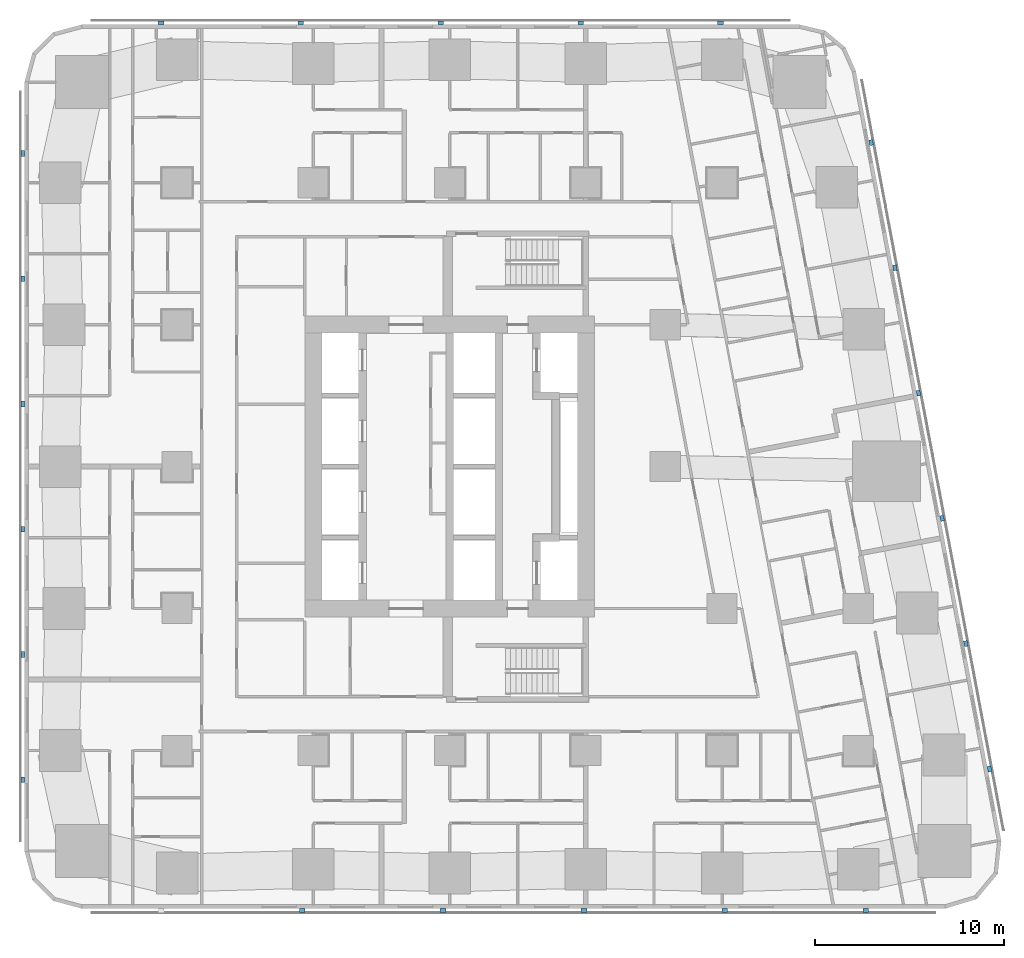
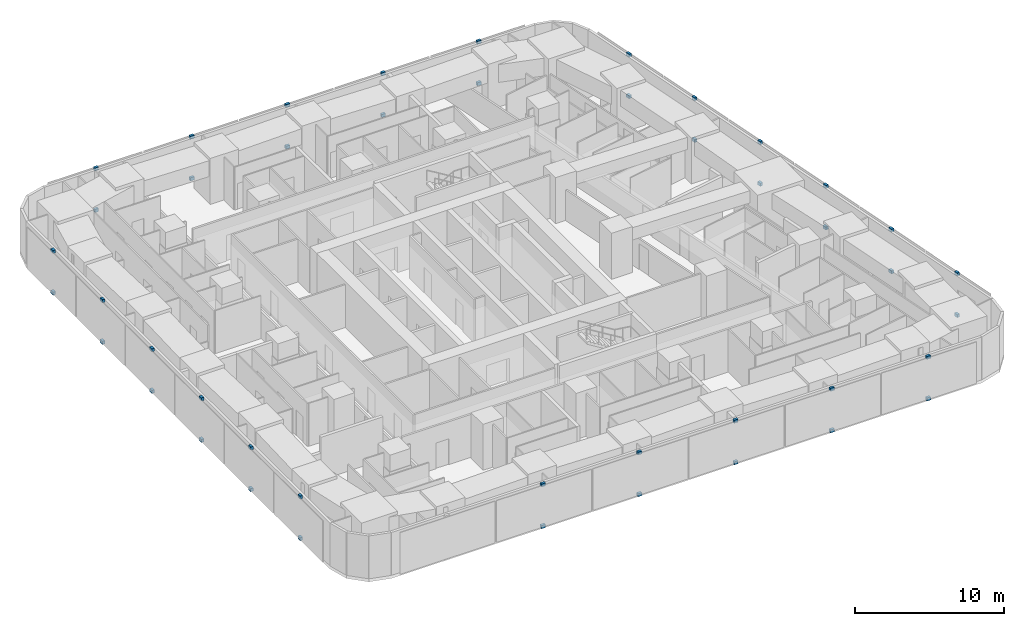
# One storey, part 13 of 17: 44 discrete accessories.
"""IFC4 building model written with IfcOpenShell, lengths in metres."""

import ifcopenshell
import ifcopenshell.guid

model = None  # the IFC model being written
_history = None  # IfcOwnerHistory: only IFC2X3 demands one
_inside = {}  # id of a spatial element -> (the spatial element, [elements in it])
_under = {}  # id of a project, library or spatial element -> (it, [spatial elements below it])
_declared = {}  # id of a project -> (the project, [libraries it declares])
_typed = {}  # id of a type object -> (the type object, [elements of that type])
_made_of = {}  # id of a material, layer set ... -> (it, [elements and type objects made of it])


def new_model(schema):
    """Start an empty IFC model of exactly this schema.

    Asked for "IFC4X3", IfcOpenShell would pick the latest addendum, in which some entities
    have other attributes; the version numbers below select the first issue.
    IFC2X3 requires an IfcOwnerHistory on every rooted entity: one is made here for all.
    """
    global model, _history
    if schema == "IFC4X3":
        model = ifcopenshell.file(schema_version=(4, 3, 0, 0))
    else:
        model = ifcopenshell.file(schema=schema)
    _inside.clear()
    _under.clear()
    _declared.clear()
    _typed.clear()
    _made_of.clear()
    _history = None
    if model.schema == "IFC2X3":
        org = make("IfcOrganization", Name="unknown")
        user = make(
            "IfcPersonAndOrganization",
            ThePerson=make("IfcPerson", FamilyName="unknown"),
            TheOrganization=org,
        )
        app = make(
            "IfcApplication",
            ApplicationDeveloper=org,
            Version="unknown",
            ApplicationFullName="unknown",
            ApplicationIdentifier="unknown",
        )
        _history = make(
            "IfcOwnerHistory",
            OwningUser=user,
            OwningApplication=app,
            ChangeAction="ADDED",
            CreationDate=0,
        )
    return model


def make(cls, **values):
    """One entity of the class cls with the attributes given. An attribute that is None is left unset."""
    return model.create_entity(
        cls, **{name: value for name, value in values.items() if value is not None}
    )


def rooted(cls, **values):
    """An entity with a GlobalId (a new one), such as an element, a storey or a relation."""
    return make(cls, GlobalId=ifcopenshell.guid.new(), OwnerHistory=_history, **values)


def si_unit(unit_type, name, prefix=None):
    """IfcSIUnit, for example si_unit("LENGTHUNIT", "METRE", prefix="MILLI")."""
    return make("IfcSIUnit", UnitType=unit_type, Prefix=prefix, Name=name)


def assignment(units):
    """IfcUnitAssignment: the units of a project."""
    return None if units is None else make("IfcUnitAssignment", Units=units)


def point(xyz):
    """IfcCartesianPoint."""
    return None if xyz is None else make("IfcCartesianPoint", Coordinates=xyz)


def direction(xyz):
    """IfcDirection."""
    return None if xyz is None else make("IfcDirection", DirectionRatios=xyz)


def frame(location, z_axis=None, x_axis=None):
    """IfcAxis2Placement3D, a coordinate frame: its origin and axes. An axis left out is left unset."""
    return make(
        "IfcAxis2Placement3D",
        Location=point(location),
        Axis=direction(z_axis),
        RefDirection=direction(x_axis),
    )


def frame_2d(location, x_axis=None):
    """IfcAxis2Placement2D, a coordinate frame in the plane: its origin and x axis."""
    return make(
        "IfcAxis2Placement2D", Location=point(location), RefDirection=direction(x_axis)
    )


def origin():
    """The frame at (0, 0, 0) with its axes left unset."""
    return frame((0.0, 0.0, 0.0))


def origin_2d():
    """The frame at (0, 0) in the plane with its x axis left unset."""
    return frame_2d((0.0, 0.0))


def place(relative_to, where):
    """IfcLocalPlacement: puts the frame where relative to a parent placement (None: the world)."""
    return make(
        "IfcLocalPlacement", PlacementRelTo=relative_to, RelativePlacement=where
    )


def context(
    kind, dimensions, precision=None, world=None, true_north=None, identifier=None
):
    """IfcGeometricRepresentationContext, for example the 3D "Model" context."""
    return make(
        "IfcGeometricRepresentationContext",
        ContextIdentifier=identifier,
        ContextType=kind,
        CoordinateSpaceDimension=dimensions,
        Precision=precision,
        WorldCoordinateSystem=world,
        TrueNorth=true_north,
    )


def subcontext(parent, identifier, kind, view, scale=None):
    """IfcGeometricRepresentationSubContext, for example "Body" below "Model"."""
    return make(
        "IfcGeometricRepresentationSubContext",
        ContextIdentifier=identifier,
        ContextType=kind,
        ParentContext=parent,
        TargetScale=scale,
        TargetView=view,
    )


def project(units=None, contexts=None):
    """IfcProject with its units and contexts."""
    return rooted(
        "IfcProject",
        Name="project",
        RepresentationContexts=contexts,
        UnitsInContext=assignment(units),
    )


def spatial(cls, under=None, at=None, **own):
    """A site, building, storey or space (cls), placed at a placement, below another one or the project."""
    s = rooted(cls, ObjectPlacement=at, **own)
    if under is not None:
        _under.setdefault(under.id(), (under, []))[1].append(s)
    return s


def profile(cls, at=None, kind="AREA", **sizes):
    """A parametric profile (cls). Its sizes go by their IFC names, for example OverallWidth=200.0."""
    return make(cls, ProfileType=kind, Position=at, **sizes)


def rectangle(**sizes):
    """IfcRectangleProfileDef."""
    return profile("IfcRectangleProfileDef", **sizes)


def extrude(swept, where, along, depth):
    """IfcExtrudedAreaSolid: the profile swept, set in the frame where, extruded along a direction by depth."""
    return make(
        "IfcExtrudedAreaSolid",
        SweptArea=swept,
        Position=where,
        ExtrudedDirection=direction(along),
        Depth=depth,
    )


def shape(context_of_items, identifier, shape_type, items):
    """IfcShapeRepresentation: the items that make up one representation, for example the "Body"."""
    return make(
        "IfcShapeRepresentation",
        ContextOfItems=context_of_items,
        RepresentationIdentifier=identifier,
        RepresentationType=shape_type,
        Items=items,
    )


def material(Name=None, Category=None):
    """IfcMaterial."""
    return make("IfcMaterial", Name=Name, Category=Category)


def made_of(thing, what):
    """Note that an element or type object is made of a material, layer set ...; save() writes the relation."""
    if what is not None:
        _made_of.setdefault(what.id(), (what, []))[1].append(thing)
    return thing


def type_object(cls, material=None, **own):
    """A type object (cls), such as IfcWallType, which elements share."""
    return made_of(rooted(cls, **own), material)


def element(
    cls,
    number,
    at=None,
    inside=None,
    cuts=None,
    type_object=None,
    material=None,
    context=None,
    identifier="Body",
    shape_type=None,
    held_by="IfcProductDefinitionShape",
    body=None,
    shapes=None,
    **own,
):
    """One element of the class cls, such as IfcWall. Its Tag is "e" and its number.

    at: its placement. inside: the storey or other place that contains it. cuts: it is an
    opening in that element (IfcRelVoidsElement). A single representation is given by context,
    identifier, shape_type and body (its items); several are given by shapes. held_by: the class
    of the entity that holds the representations. save() writes the other relations.
    """
    e = rooted(cls, Tag="e%d" % number, ObjectPlacement=at, **own)
    if body is not None:
        shapes = [shape(context, identifier, shape_type, body)]
    if shapes is not None:
        e.Representation = make(held_by, Representations=shapes)
    if inside is not None:
        _inside.setdefault(inside.id(), (inside, []))[1].append(e)
    if cuts is not None:
        rooted(
            "IfcRelVoidsElement", RelatingBuildingElement=cuts, RelatedOpeningElement=e
        )
    if type_object is not None:
        _typed.setdefault(type_object.id(), (type_object, []))[1].append(e)
    return made_of(e, material)


def aggregate(whole, parts):
    """IfcRelAggregates: a whole, such as a stair, and the parts it consists of."""
    return rooted("IfcRelAggregates", RelatingObject=whole, RelatedObjects=parts)


def save(model, path):
    """Write the relations noted so far, then the file.

    IfcRelAggregates (storeys below a building ...), IfcRelContainedInSpatialStructure (elements
    in a storey), IfcRelDefinesByType, IfcRelAssociatesMaterial and IfcRelDeclares: one each for
    every whole, place, type object, material and project.
    """
    for whole, parts in _under.values():
        aggregate(whole, parts)
    for where, things in _inside.values():
        rooted(
            "IfcRelContainedInSpatialStructure",
            RelatedElements=things,
            RelatingStructure=where,
        )
    for kind, things in _typed.values():
        rooted("IfcRelDefinesByType", RelatedObjects=things, RelatingType=kind)
    for what, things in _made_of.values():
        rooted("IfcRelAssociatesMaterial", RelatedObjects=things, RelatingMaterial=what)
    for by, libraries in _declared.values():
        rooted("IfcRelDeclares", RelatingContext=by, RelatedDefinitions=libraries)
    model.write(path)


model = new_model("IFC4")

# Units and contexts
model_context = context("Model", 3, precision=1e-05, world=origin(), true_north=direction((0.0, 1.0)))
body_context = subcontext(model_context, "Body", "Model", "MODEL_VIEW")
ifc_project = project(units=[si_unit("LENGTHUNIT", "METRE"), si_unit("AREAUNIT", "SQUARE_METRE"), si_unit("VOLUMEUNIT", "CUBIC_METRE"), si_unit("PLANEANGLEUNIT", "RADIAN"), si_unit("MASSUNIT", "GRAM", prefix="KILO")], contexts=[model_context])

# Site, building, storey
site_placement = place(None, origin())
site = spatial("IfcSite", under=ifc_project, at=site_placement, CompositionType="ELEMENT")
building_placement = place(site_placement, origin())
building = spatial("IfcBuilding", under=site, at=building_placement, Name="Sheger Commons Tower", CompositionType="ELEMENT")
storey_placement = place(building_placement, frame((0.0, 0.0, 111.64990234375)))
storey = spatial("IfcBuildingStorey", under=building, at=storey_placement, Name="L28", CompositionType="ELEMENT", Elevation=111.64990234375)

# Discrete accessories
ifc_material = material(Name="Black painted steel bracket", Category="steel")
discrete_accessory_type = type_object("IfcDiscreteAccessoryType", Name="SCREEN BRACKET 300x200x250", PredefinedType="BRACKET", material=ifc_material)
for number, where, z_axis, x_axis, name in (
    (1, (13.81396484375, -0.949951171875, -0.099853515625), (0.0, 0.0, 1.0), (1.0, 0.0, 0.0), "Solar screen foot bracket"),
    (2, (13.81396484375, -0.949951171875, 3.300048828125), (0.0, 0.0, 1.0), (1.0, 0.0, 0.0), "Solar screen head bracket"),
    (3, (21.257080078125, -0.949951171875, -0.099853515625), (0.0, 0.0, 1.0), (1.0, 0.0, 0.0), "Solar screen foot bracket"),
    (4, (21.257080078125, -0.949951171875, 3.300048828125), (0.0, 0.0, 1.0), (1.0, 0.0, 0.0), "Solar screen head bracket"),
    (5, (28.698974609375, -0.949951171875, -0.099853515625), (0.0, 0.0, 1.0), (1.0, 0.0, 0.0), "Solar screen foot bracket"),
    (6, (28.698974609375, -0.949951171875, 3.300048828125), (0.0, 0.0, 1.0), (1.0, 0.0, 0.0), "Solar screen head bracket"),
    (7, (36.14208984375, -0.949951171875, -0.099853515625), (0.0, 0.0, 1.0), (1.0, 0.0, 0.0), "Solar screen foot bracket"),
    (8, (36.14208984375, -0.949951171875, 3.300048828125), (0.0, 0.0, 1.0), (1.0, 0.0, 0.0), "Solar screen head bracket"),
    (9, (43.5849609375, -0.949951171875, -0.099853515625), (0.0, 0.0, 1.0), (1.0, 0.0, 0.0), "Solar screen foot bracket"),
    (10, (43.5849609375, -0.949951171875, 3.300048828125), (0.0, 0.0, 1.0), (1.0, 0.0, 0.0), "Solar screen head bracket"),
    (11, (50.134033203125, 6.527099609375, -0.099853515625), (0.0, 0.0, 1.0), (-0.185615165645, 0.982622516678, 0.0), "Solar screen foot bracket"),
    (12, (50.134033203125, 6.527099609375, 3.300048828125), (0.0, 0.0, 1.0), (-0.185615165645, 0.982622516678, 0.0), "Solar screen head bracket"),
    (13, (48.884033203125, 13.14599609375, -0.099853515625), (0.0, 0.0, 1.0), (-0.185615165645, 0.982622516678, 0.0), "Solar screen foot bracket"),
    (14, (48.884033203125, 13.14599609375, 3.300048828125), (0.0, 0.0, 1.0), (-0.185615165645, 0.982622516678, 0.0), "Solar screen head bracket"),
    (15, (47.633056640625, 19.76611328125, -0.099853515625), (0.0, 0.0, 1.0), (-0.185615165645, 0.982622516678, 0.0), "Solar screen foot bracket"),
    (16, (47.633056640625, 19.76611328125, 3.300048828125), (0.0, 0.0, 1.0), (-0.185615165645, 0.982622516678, 0.0), "Solar screen head bracket"),
    (17, (46.383056640625, 26.385009765625, -0.099853515625), (0.0, 0.0, 1.0), (-0.185615165645, 0.982622516678, 0.0), "Solar screen foot bracket"),
    (18, (46.383056640625, 26.385009765625, 3.300048828125), (0.0, 0.0, 1.0), (-0.185615165645, 0.982622516678, 0.0), "Solar screen head bracket"),
    (19, (45.133056640625, 33.0048828125, -0.099853515625), (0.0, 0.0, 1.0), (-0.185615165645, 0.982622516678, 0.0), "Solar screen foot bracket"),
    (20, (45.133056640625, 33.0048828125, 3.300048828125), (0.0, 0.0, 1.0), (-0.185615165645, 0.982622516678, 0.0), "Solar screen head bracket"),
    (21, (43.882080078125, 39.6240234375, -0.099853515625), (0.0, 0.0, 1.0), (-0.185615165645, 0.982622516678, 0.0), "Solar screen foot bracket"),
    (22, (43.882080078125, 39.6240234375, 3.300048828125), (0.0, 0.0, 1.0), (-0.185615165645, 0.982622516678, 0.0), "Solar screen head bracket"),
    (23, (35.9208984375, 45.949951171875, -0.099853515625), (0.0, 0.0, 1.0), (-1.0, 0.0, 0.0), "Solar screen foot bracket"),
    (24, (35.9208984375, 45.949951171875, 3.300048828125), (0.0, 0.0, 1.0), (-1.0, 0.0, 0.0), "Solar screen head bracket"),
    (25, (28.528076171875, 45.949951171875, -0.099853515625), (0.0, 0.0, 1.0), (-1.0, 0.0, 0.0), "Solar screen foot bracket"),
    (26, (28.528076171875, 45.949951171875, 3.300048828125), (0.0, 0.0, 1.0), (-1.0, 0.0, 0.0), "Solar screen head bracket"),
    (27, (21.134033203125, 45.949951171875, -0.099853515625), (0.0, 0.0, 1.0), (-1.0, 0.0, 0.0), "Solar screen foot bracket"),
    (28, (21.134033203125, 45.949951171875, 3.300048828125), (0.0, 0.0, 1.0), (-1.0, 0.0, 0.0), "Solar screen head bracket"),
    (29, (13.739990234375, 45.949951171875, -0.099853515625), (0.0, 0.0, 1.0), (-1.0, 0.0, 0.0), "Solar screen foot bracket"),
    (30, (13.739990234375, 45.949951171875, 3.300048828125), (0.0, 0.0, 1.0), (-1.0, 0.0, 0.0), "Solar screen head bracket"),
    (31, (6.346923828125, 45.949951171875, -0.099853515625), (0.0, 0.0, 1.0), (-1.0, 0.0, 0.0), "Solar screen foot bracket"),
    (32, (6.346923828125, 45.949951171875, 3.300048828125), (0.0, 0.0, 1.0), (-1.0, 0.0, 0.0), "Solar screen head bracket"),
    (33, (-0.949951171875, 39.0419921875, -0.099853515625), (0.0, 0.0, 1.0), (0.0, -1.0, 0.0), "Solar screen foot bracket"),
    (34, (-0.949951171875, 39.0419921875, 3.300048828125), (0.0, 0.0, 1.0), (0.0, -1.0, 0.0), "Solar screen head bracket"),
    (35, (-0.949951171875, 32.425048828125, -0.099853515625), (0.0, 0.0, 1.0), (0.0, -1.0, 0.0), "Solar screen foot bracket"),
    (36, (-0.949951171875, 32.425048828125, 3.300048828125), (0.0, 0.0, 1.0), (0.0, -1.0, 0.0), "Solar screen head bracket"),
    (37, (-0.949951171875, 25.80810546875, -0.099853515625), (0.0, 0.0, 1.0), (0.0, -1.0, 0.0), "Solar screen foot bracket"),
    (38, (-0.949951171875, 25.80810546875, 3.300048828125), (0.0, 0.0, 1.0), (0.0, -1.0, 0.0), "Solar screen head bracket"),
    (39, (-0.949951171875, 19.19189453125, -0.099853515625), (0.0, 0.0, 1.0), (0.0, -1.0, 0.0), "Solar screen foot bracket"),
    (40, (-0.949951171875, 19.19189453125, 3.300048828125), (0.0, 0.0, 1.0), (0.0, -1.0, 0.0), "Solar screen head bracket"),
    (41, (-0.949951171875, 12.574951171875, -0.099853515625), (0.0, 0.0, 1.0), (0.0, -1.0, 0.0), "Solar screen foot bracket"),
    (42, (-0.949951171875, 12.574951171875, 3.300048828125), (0.0, 0.0, 1.0), (0.0, -1.0, 0.0), "Solar screen head bracket"),
    (43, (-0.949951171875, 5.9580078125, -0.099853515625), (0.0, 0.0, 1.0), (0.0, -1.0, 0.0), "Solar screen foot bracket"),
    (44, (-0.949951171875, 5.9580078125, 3.300048828125), (0.0, 0.0, 1.0), (0.0, -1.0, 0.0), "Solar screen head bracket"),
):
    element("IfcDiscreteAccessory", number, at=place(storey_placement, frame(where, z_axis=z_axis, x_axis=x_axis)), inside=storey, type_object=discrete_accessory_type, Name=name, PredefinedType="BRACKET", context=body_context, shape_type="SweptSolid", body=[
        extrude(rectangle(XDim=0.300048828125, YDim=0.199951171875, at=origin_2d()), origin(), (0.0, 0.0, 1.0), 0.25),
    ])

save(model, "model.ifc")
